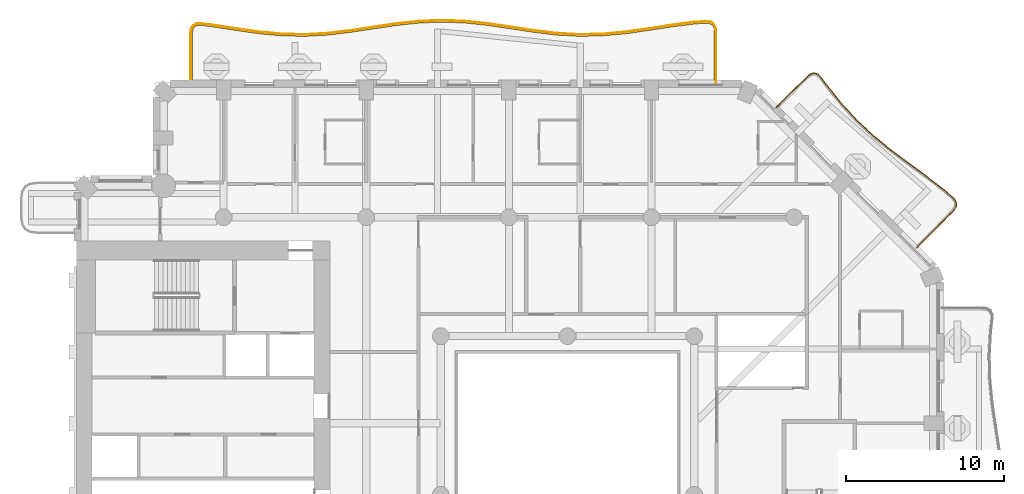
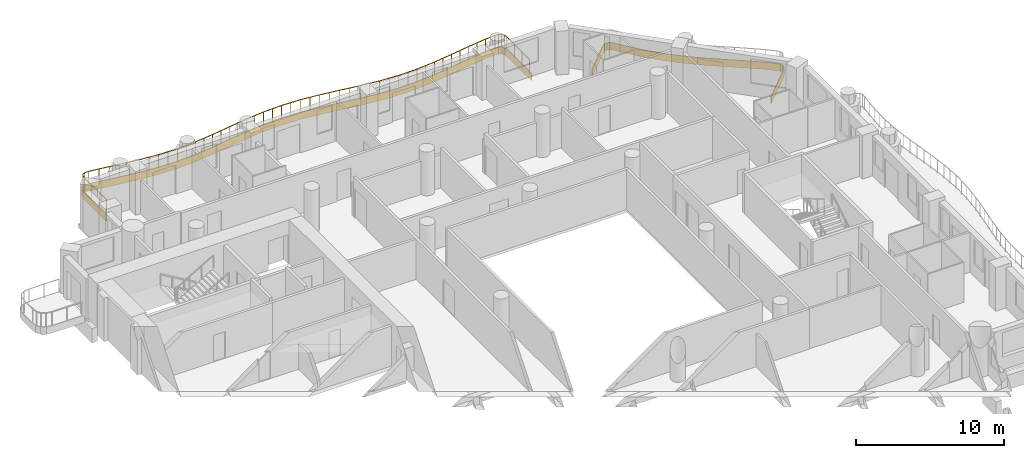
# One storey, part 17 of 19: 2 coverings, 1 railing.
"""IFC4 building model written with IfcOpenShell, lengths in metres."""

from ifc_helpers import new_model, si_unit, direction, frame, origin, origin_2d, place, context, subcontext, project, spatial, polyline, rectangle, outline, extrude, material, layer, layer_set, type_object, element, save


model = new_model("IFC4")

# Units and contexts
model_context = context("Model", 3, precision=1e-05, world=origin(), true_north=direction((0.0, 1.0)))
body_context = subcontext(model_context, "Body", "Model", "MODEL_VIEW")
ifc_project = project(units=[si_unit("LENGTHUNIT", "METRE"), si_unit("AREAUNIT", "SQUARE_METRE"), si_unit("VOLUMEUNIT", "CUBIC_METRE"), si_unit("PLANEANGLEUNIT", "RADIAN"), si_unit("MASSUNIT", "GRAM", prefix="KILO")], contexts=[model_context])

# Site, building, storey
site_placement = place(None, origin())
site = spatial("IfcSite", under=ifc_project, at=site_placement, CompositionType="ELEMENT")
building_placement = place(site_placement, origin())
building = spatial("IfcBuilding", under=site, at=building_placement, Name="Cypress Arch Tower", CompositionType="ELEMENT")
storey_placement = place(building_placement, frame((0.0, 0.0, 141.89990234375)))
storey = spatial("IfcBuildingStorey", under=building, at=storey_placement, Name="L31", CompositionType="ELEMENT", Elevation=141.89990234375)

# Coverings
ifc_material_1 = material(Name="White powder-coated aluminium fascia", Category="aluminium")
ifc_layer = layer(ifc_material_1, 0.050048828125)
ifc_layer_set = layer_set([ifc_layer], Name="Balcony fascia BF50")
covering_type = type_object("IfcCoveringType", Name="Balcony fascia BF50", PredefinedType="CLADDING", material=ifc_layer_set)
covering_1_placement = place(storey_placement, frame((0.0, 0.0, -0.599853515625)))
element("IfcCovering", 1, at=covering_1_placement, inside=storey, type_object=covering_type, Name="Balcony fascia L31-A07", PredefinedType="CLADDING", context=body_context, shape_type="SweptSolid", body=[
    extrude(outline(polyline([(16.12109375, 26.409912109375), (16.351318359375, 26.58203125), (16.5859375, 26.631591796875), (16.81103515625, 26.54833984375), (17.013671875, 26.3447265625), (17.47509765625, 25.724609375), (18.349609375, 24.643310546875), (19.287109375, 23.626220703125), (20.297607421875, 22.68212890625), (21.373779296875, 21.802734375), (22.493896484375, 20.965087890625), (23.62548828125, 20.13671875), (24.734130859375, 19.282958984375), (25.317138671875, 18.78125), (25.50634765625, 18.564453125), (25.57861328125, 18.331298828125), (25.52392578125, 18.09326171875), (25.3515625, 17.86279296875), (23.045166015625, 15.556396484375), (23.009765625, 15.591796875), (25.313720703125, 17.895751953125), (25.4775390625, 18.11474609375), (25.52685546875, 18.329345703125), (25.461669921875, 18.53955078125), (25.281982421875, 18.74560546875), (24.70263671875, 19.244140625), (23.595458984375, 20.0966796875), (22.464111328125, 20.9248046875), (21.343017578125, 21.76318359375), (20.2646484375, 22.64453125), (19.251708984375, 23.591064453125), (18.311767578125, 24.610595703125), (17.435546875, 25.694091796875), (16.975830078125, 26.31201171875), (16.783203125, 26.50537109375), (16.582275390625, 26.579833984375), (16.372314453125, 26.535400390625), (16.15380859375, 26.371826171875), (14.191650390625, 24.40966796875), (14.15625, 24.445068359375), (16.12109375, 26.409912109375)])), origin(), (0.0, 0.0, 1.0), 0.599853515625),
])
covering_2_placement = place(storey_placement, frame((0.0, 0.0, -0.599853515625)))
element("IfcCovering", 2, at=covering_2_placement, inside=storey, type_object=covering_type, Name="Balcony fascia L31-A08", PredefinedType="CLADDING", context=body_context, shape_type="SweptSolid", body=[
    extrude(outline(polyline([(-22.800048828125, 29.129638671875), (-22.757568359375, 29.42431640625), (-22.622314453125, 29.6337890625), (-22.397216796875, 29.740478515625), (-22.099365234375, 29.744384765625), (-21.3037109375, 29.64013671875), (-19.864501953125, 29.4169921875), (-18.4267578125, 29.21435546875), (-16.99072265625, 29.082275390625), (-15.55517578125, 29.05322265625), (-14.11962890625, 29.13427734375), (-12.682861328125, 29.3056640625), (-11.244384765625, 29.525146484375), (-9.80419921875, 29.73828125), (-8.3623046875, 29.892822265625), (-6.919677734375, 29.949951171875), (-5.476806640625, 29.895751953125), (-4.034912109375, 29.74365234375), (-2.5947265625, 29.53125), (-1.15625, 29.311279296875), (0.280517578125, 29.137939453125), (1.71630859375, 29.05419921875), (3.151611328125, 29.080078125), (4.587646484375, 29.209716796875), (6.025390625, 29.410888671875), (7.464599609375, 29.63427734375), (8.90576171875, 29.82470703125), (9.7021484375, 29.885498046875), (9.99951171875, 29.865478515625), (10.223388671875, 29.748046875), (10.357421875, 29.533935546875), (10.39990234375, 29.23876953125), (10.39990234375, 26.0009765625), (10.35009765625, 26.0009765625), (10.35009765625, 29.235107421875), (10.3095703125, 29.516357421875), (10.18798828125, 29.7099609375), (9.98583984375, 29.81640625), (9.702392578125, 29.835205078125), (8.910888671875, 29.77490234375), (7.4716796875, 29.584716796875), (6.03271484375, 29.361572265625), (4.593505859375, 29.159912109375), (3.154296875, 29.030029296875), (1.71533203125, 29.004150390625), (0.276123046875, 29.088134765625), (-1.1630859375, 29.26171875), (-2.602294921875, 29.481689453125), (-4.041259765625, 29.69384765625), (-5.48046875, 29.845947265625), (-6.919677734375, 29.89990234375), (-8.358642578125, 29.843017578125), (-9.7978515625, 29.688720703125), (-11.237060546875, 29.4755859375), (-12.676025390625, 29.256103515625), (-14.115234375, 29.08447265625), (-15.554443359375, 29.003173828125), (-16.993408203125, 29.032470703125), (-18.4326171875, 29.164794921875), (-19.871826171875, 29.367431640625), (-21.310791015625, 29.590576171875), (-22.102294921875, 29.6943359375), (-22.3857421875, 29.690673828125), (-22.588134765625, 29.5947265625), (-22.70947265625, 29.406494140625), (-22.75, 29.1259765625), (-22.75, 26.0009765625), (-22.800048828125, 26.0009765625), (-22.800048828125, 29.129638671875)])), origin(), (0.0, 0.0, 1.0), 0.599853515625),
])

# Railing
ifc_material_2 = material(Name="Powder-coated steel posts and rods, 100 mm clear between rods", Category="steel")
railing_type = type_object("IfcRailingType", Name="Balcony guard GR1100", PredefinedType="GUARDRAIL", material=ifc_material_2)
railing_placement = place(storey_placement, frame((-22.699951171875, 26.14990234375, 0.0)))
element("IfcRailing", 3, at=railing_placement, inside=storey, type_object=railing_type, Name="Balcony guard L31-A08", PredefinedType="GUARDRAIL", context=body_context, shape_type="SweptSolid", body=[
    extrude(rectangle(XDim=0.050048828125, YDim=0.050048828125, at=origin_2d()), frame((0.0, 0.0, 1.0751953125), z_axis=(0.0, 1.0, 0.0), x_axis=(-1.0, 0.0, 0.0)), (0.0, 0.0, 1.0), 2.972412109375),
    extrude(rectangle(XDim=0.050048828125, YDim=0.050048828125, at=origin_2d()), frame((0.0, 2.972412109375, 1.0751953125), z_axis=(0.14256541736, 0.989785381673, 0.0), x_axis=(-0.989785381673, 0.14256541736, 0.0)), (0.0, 0.0, 1.0), 0.268798828125),
    extrude(rectangle(XDim=0.050048828125, YDim=0.050048828125, at=origin_2d()), frame((0.038330078125, 3.238525390625, 1.0751953125), z_axis=(0.5421827487, 0.840260594704, 0.0), x_axis=(-0.840260594704, 0.5421827487, 0.0)), (0.0, 0.0, 1.0), 0.198974609375),
    extrude(rectangle(XDim=0.050048828125, YDim=0.050048828125, at=origin_2d()), frame((0.146240234375, 3.40576171875, 1.0751953125), z_axis=(0.903812941025, 0.427927759832, 0.0), x_axis=(-0.427927759832, 0.903812941025, 0.0)), (0.0, 0.0, 1.0), 0.198486328125),
    extrude(rectangle(XDim=0.050048828125, YDim=0.050048828125, at=origin_2d()), frame((0.32568359375, 3.49072265625, 1.0751953125), z_axis=(0.999907374836, 0.013610354467, 0.0), x_axis=(-0.013610354467, 0.999907374836, 0.0)), (0.0, 0.0, 1.0), 0.26904296875),
    extrude(rectangle(XDim=0.050048828125, YDim=0.050048828125, at=origin_2d()), frame((0.5947265625, 3.494384765625, 1.0751953125), z_axis=(0.991547179786, -0.129746638719, 0.0), x_axis=(0.129746638719, 0.991547179786, 0.0)), (0.0, 0.0, 1.0), 0.7939453125),
    extrude(rectangle(XDim=0.050048828125, YDim=0.050048828125, at=origin_2d()), frame((1.382080078125, 3.391357421875, 1.0751953125), z_axis=(0.988184852879, -0.153266749624, 0.0), x_axis=(0.153266749624, 0.988184852879, 0.0)), (0.0, 0.0, 1.0), 1.455810546875),
    extrude(rectangle(XDim=0.050048828125, YDim=0.050048828125, at=origin_2d()), frame((2.82080078125, 3.168212890625, 1.0751953125), z_axis=(0.990206257775, -0.139612202418, 0.0), x_axis=(0.139612202418, 0.990206257775, 0.0)), (0.0, 0.0, 1.0), 1.454833984375),
    extrude(rectangle(XDim=0.050048828125, YDim=0.050048828125, at=origin_2d()), frame((4.261474609375, 2.965087890625, 1.0751953125), z_axis=(0.995801502234, -0.091538888727, 0.0), x_axis=(0.091538888727, 0.995801502234, 0.0)), (0.0, 0.0, 1.0), 1.4482421875),
    extrude(rectangle(XDim=0.050048828125, YDim=0.050048828125, at=origin_2d()), frame((5.70361328125, 2.83251953125, 1.0751953125), z_axis=(0.999793925966, -0.020300384284, 0.0), x_axis=(0.020300384284, 0.999793925966, 0.0)), (0.0, 0.0, 1.0), 1.443115234375),
    extrude(rectangle(XDim=0.050048828125, YDim=0.050048828125, at=origin_2d()), frame((7.146484375, 2.80322265625, 1.0751953125), z_axis=(0.998406339477, 0.05643386654, 0.0), x_axis=(-0.05643386654, 0.998406339477, 0.0)), (0.0, 0.0, 1.0), 1.44482421875),
    extrude(rectangle(XDim=0.050048828125, YDim=0.050048828125, at=origin_2d()), frame((8.589111328125, 2.884765625, 1.0751953125), z_axis=(0.992965693526, 0.11840241332, 0.0), x_axis=(-0.11840241332, 0.992965693526, 0.0)), (0.0, 0.0, 1.0), 1.45166015625),
    extrude(rectangle(XDim=0.050048828125, YDim=0.050048828125, at=origin_2d()), frame((10.030517578125, 3.056640625, 1.0751953125), z_axis=(0.988556974832, 0.150847961572, 0.0), x_axis=(-0.150847961572, 0.988556974832, 0.0)), (0.0, 0.0, 1.0), 1.45654296875),
    extrude(rectangle(XDim=0.050048828125, YDim=0.050048828125, at=origin_2d()), frame((11.470458984375, 3.2763671875, 1.0751953125), z_axis=(0.989217885368, 0.146451272673, 0.0), x_axis=(-0.146451272673, 0.989217885368, 0.0)), (0.0, 0.0, 1.0), 1.45361328125),
    extrude(rectangle(XDim=0.050048828125, YDim=0.050048828125, at=origin_2d()), frame((12.908447265625, 3.4892578125, 1.0751953125), z_axis=(0.994316822862, 0.106461522502, 0.0), x_axis=(-0.106461522502, 0.994316822862, 0.0)), (0.0, 0.0, 1.0), 1.44482421875),
    extrude(rectangle(XDim=0.050048828125, YDim=0.050048828125, at=origin_2d()), frame((14.344970703125, 3.64306640625, 1.0751953125), z_axis=(0.999215819367, 0.039594776516, 0.0), x_axis=(-0.039594776516, 0.999215819367, 0.0)), (0.0, 0.0, 1.0), 1.436767578125),
    extrude(rectangle(XDim=0.050048828125, YDim=0.050048828125, at=origin_2d()), frame((15.780517578125, 3.699951171875, 1.0751953125), z_axis=(0.999294430056, -0.037558515143, 0.0), x_axis=(0.037558515143, 0.999294430056, 0.0)), (0.0, 0.0, 1.0), 1.4365234375),
    extrude(rectangle(XDim=0.050048828125, YDim=0.050048828125, at=origin_2d()), frame((17.216064453125, 3.64599609375, 1.0751953125), z_axis=(0.994474844006, -0.104975162014, 0.0), x_axis=(0.104975162014, 0.994474844006, 0.0)), (0.0, 0.0, 1.0), 1.4443359375),
    extrude(rectangle(XDim=0.050048828125, YDim=0.050048828125, at=origin_2d()), frame((18.65234375, 3.494384765625, 1.0751953125), z_axis=(0.989315000854, -0.145793789599, 0.0), x_axis=(0.145793789599, 0.989315000854, 0.0)), (0.0, 0.0, 1.0), 1.45361328125),
    extrude(rectangle(XDim=0.050048828125, YDim=0.050048828125, at=origin_2d()), frame((20.09033203125, 3.282470703125, 1.0751953125), z_axis=(0.988503103525, -0.151200576459, 0.0), x_axis=(0.151200576459, 0.988503103525, 0.0)), (0.0, 0.0, 1.0), 1.45654296875),
    extrude(rectangle(XDim=0.050048828125, YDim=0.050048828125, at=origin_2d()), frame((21.530029296875, 3.062255859375, 1.0751953125), z_axis=(0.992809055205, -0.119708729434, 0.0), x_axis=(0.119708729434, 0.992809055205, 0.0)), (0.0, 0.0, 1.0), 1.4521484375),
    extrude(rectangle(XDim=0.050048828125, YDim=0.050048828125, at=origin_2d()), frame((22.9716796875, 2.888427734375, 1.0751953125), z_axis=(0.998299337099, -0.058296085189, 0.0), x_axis=(0.058296085189, 0.998299337099, 0.0)), (0.0, 0.0, 1.0), 1.44482421875),
    extrude(rectangle(XDim=0.050048828125, YDim=0.050048828125, at=origin_2d()), frame((24.4140625, 2.80419921875, 1.0751953125), z_axis=(0.999836146453, 0.018101940384, 0.0), x_axis=(-0.018101940384, 0.999836146453, 0.0)), (0.0, 0.0, 1.0), 1.443115234375),
    extrude(rectangle(XDim=0.050048828125, YDim=0.050048828125, at=origin_2d()), frame((25.85693359375, 2.830322265625, 1.0751953125), z_axis=(0.995953790443, 0.08986683093, 0.0), x_axis=(-0.08986683093, 0.995953790443, 0.0)), (0.0, 0.0, 1.0), 1.447998046875),
    extrude(rectangle(XDim=0.050048828125, YDim=0.050048828125, at=origin_2d()), frame((27.299072265625, 2.96044921875, 1.0751953125), z_axis=(0.990344972575, 0.138624800432, 0.0), x_axis=(-0.138624800432, 0.990344972575, 0.0)), (0.0, 0.0, 1.0), 1.454833984375),
    extrude(rectangle(XDim=0.050048828125, YDim=0.050048828125, at=origin_2d()), frame((28.73974609375, 3.162109375, 1.0751953125), z_axis=(0.98816338909, 0.153405073128, 0.0), x_axis=(-0.153405073128, 0.98816338909, 0.0)), (0.0, 0.0, 1.0), 1.456298828125),
    extrude(rectangle(XDim=0.050048828125, YDim=0.050048828125, at=origin_2d()), frame((30.1787109375, 3.385498046875, 1.0751953125), z_axis=(0.991402055353, 0.130850925261, 0.0), x_axis=(-0.130850925261, 0.991402055353, 0.0)), (0.0, 0.0, 1.0), 1.44970703125),
    extrude(rectangle(XDim=0.050048828125, YDim=0.050048828125, at=origin_2d()), frame((31.615966796875, 3.5751953125, 1.0751953125), z_axis=(0.99709801299, 0.076128526131, 0.0), x_axis=(-0.076128526131, 0.99709801299, 0.0)), (0.0, 0.0, 1.0), 0.788818359375),
    extrude(rectangle(XDim=0.050048828125, YDim=0.050048828125, at=origin_2d()), frame((32.402587890625, 3.63525390625, 1.0751953125), z_axis=(0.997757051233, -0.066939276329, 0.0), x_axis=(0.066939276329, 0.997757051233, 0.0)), (0.0, 0.0, 1.0), 0.269775390625),
    extrude(rectangle(XDim=0.050048828125, YDim=0.050048828125, at=origin_2d()), frame((32.671875, 3.6171875, 1.0751953125), z_axis=(0.884918222382, -0.465746432833, 0.0), x_axis=(0.465746432833, 0.884918222382, 0.0)), (0.0, 0.0, 1.0), 0.204345703125),
    extrude(rectangle(XDim=0.050048828125, YDim=0.050048828125, at=origin_2d()), frame((32.852783203125, 3.52197265625, 1.0751953125), z_axis=(0.531071251699, -0.847327165632, 0.0), x_axis=(0.847327165632, 0.531071251699, 0.0)), (0.0, 0.0, 1.0), 0.20458984375),
    extrude(rectangle(XDim=0.050048828125, YDim=0.050048828125, at=origin_2d()), frame((32.96142578125, 3.3486328125, 1.0751953125), z_axis=(0.143069172256, -0.989712691618, 0.0), x_axis=(0.989712691618, 0.143069172256, 0.0)), (0.0, 0.0, 1.0), 0.26953125),
    extrude(rectangle(XDim=0.050048828125, YDim=0.050048828125, at=origin_2d()), frame((33.0, 3.081787109375, 1.0751953125), z_axis=(0.0, -1.0, 0.0), x_axis=(1.0, 0.0, 0.0)), (0.0, 0.0, 1.0), 3.081787109375),
    extrude(rectangle(XDim=0.0400390625, YDim=0.0400390625, at=origin_2d()), origin(), (0.0, 0.0, 1.0), 1.050048828125),
    extrude(rectangle(XDim=0.0400390625, YDim=0.0400390625, at=origin_2d()), frame((0.0, 0.99072265625, 0.0)), (0.0, 0.0, 1.0), 1.050048828125),
    extrude(rectangle(XDim=0.0400390625, YDim=0.0400390625, at=origin_2d()), frame((0.0, 1.981689453125, 0.0)), (0.0, 0.0, 1.0), 1.050048828125),
    extrude(rectangle(XDim=0.0400390625, YDim=0.0400390625, at=origin_2d()), frame((0.0, 2.972412109375, 0.0)), (0.0, 0.0, 1.0), 1.050048828125),
    extrude(rectangle(XDim=0.0400390625, YDim=0.0400390625, at=origin_2d()), frame((0.038330078125, 3.238525390625, 0.0)), (0.0, 0.0, 1.0), 1.050048828125),
    extrude(rectangle(XDim=0.0400390625, YDim=0.0400390625, at=origin_2d()), frame((0.146240234375, 3.40576171875, 0.0)), (0.0, 0.0, 1.0), 1.050048828125),
    extrude(rectangle(XDim=0.0400390625, YDim=0.0400390625, at=origin_2d()), frame((0.32568359375, 3.49072265625, 0.0)), (0.0, 0.0, 1.0), 1.050048828125),
    extrude(rectangle(XDim=0.0400390625, YDim=0.0400390625, at=origin_2d()), frame((0.5947265625, 3.494384765625, 0.0)), (0.0, 0.0, 1.0), 1.050048828125),
    extrude(rectangle(XDim=0.0400390625, YDim=0.0400390625, at=origin_2d()), frame((1.382080078125, 3.391357421875, 0.0)), (0.0, 0.0, 1.0), 1.050048828125),
    extrude(rectangle(XDim=0.0400390625, YDim=0.0400390625, at=origin_2d()), frame((2.1015625, 3.27978515625, 0.0)), (0.0, 0.0, 1.0), 1.050048828125),
    extrude(rectangle(XDim=0.0400390625, YDim=0.0400390625, at=origin_2d()), frame((2.82080078125, 3.168212890625, 0.0)), (0.0, 0.0, 1.0), 1.050048828125),
    extrude(rectangle(XDim=0.0400390625, YDim=0.0400390625, at=origin_2d()), frame((3.541015625, 3.066650390625, 0.0)), (0.0, 0.0, 1.0), 1.050048828125),
    extrude(rectangle(XDim=0.0400390625, YDim=0.0400390625, at=origin_2d()), frame((4.261474609375, 2.965087890625, 0.0)), (0.0, 0.0, 1.0), 1.050048828125),
    extrude(rectangle(XDim=0.0400390625, YDim=0.0400390625, at=origin_2d()), frame((4.982421875, 2.89892578125, 0.0)), (0.0, 0.0, 1.0), 1.050048828125),
    extrude(rectangle(XDim=0.0400390625, YDim=0.0400390625, at=origin_2d()), frame((5.70361328125, 2.83251953125, 0.0)), (0.0, 0.0, 1.0), 1.050048828125),
    extrude(rectangle(XDim=0.0400390625, YDim=0.0400390625, at=origin_2d()), frame((6.425048828125, 2.81787109375, 0.0)), (0.0, 0.0, 1.0), 1.050048828125),
    extrude(rectangle(XDim=0.0400390625, YDim=0.0400390625, at=origin_2d()), frame((7.146484375, 2.80322265625, 0.0)), (0.0, 0.0, 1.0), 1.050048828125),
    extrude(rectangle(XDim=0.0400390625, YDim=0.0400390625, at=origin_2d()), frame((7.86767578125, 2.843994140625, 0.0)), (0.0, 0.0, 1.0), 1.050048828125),
    extrude(rectangle(XDim=0.0400390625, YDim=0.0400390625, at=origin_2d()), frame((8.589111328125, 2.884765625, 0.0)), (0.0, 0.0, 1.0), 1.050048828125),
    extrude(rectangle(XDim=0.0400390625, YDim=0.0400390625, at=origin_2d()), frame((9.309814453125, 2.970703125, 0.0)), (0.0, 0.0, 1.0), 1.050048828125),
    extrude(rectangle(XDim=0.0400390625, YDim=0.0400390625, at=origin_2d()), frame((10.030517578125, 3.056640625, 0.0)), (0.0, 0.0, 1.0), 1.050048828125),
    extrude(rectangle(XDim=0.0400390625, YDim=0.0400390625, at=origin_2d()), frame((10.75048828125, 3.16650390625, 0.0)), (0.0, 0.0, 1.0), 1.050048828125),
    extrude(rectangle(XDim=0.0400390625, YDim=0.0400390625, at=origin_2d()), frame((11.470458984375, 3.2763671875, 0.0)), (0.0, 0.0, 1.0), 1.050048828125),
    extrude(rectangle(XDim=0.0400390625, YDim=0.0400390625, at=origin_2d()), frame((12.189453125, 3.3828125, 0.0)), (0.0, 0.0, 1.0), 1.050048828125),
    extrude(rectangle(XDim=0.0400390625, YDim=0.0400390625, at=origin_2d()), frame((12.908447265625, 3.4892578125, 0.0)), (0.0, 0.0, 1.0), 1.050048828125),
    extrude(rectangle(XDim=0.0400390625, YDim=0.0400390625, at=origin_2d()), frame((13.626708984375, 3.566162109375, 0.0)), (0.0, 0.0, 1.0), 1.050048828125),
    extrude(rectangle(XDim=0.0400390625, YDim=0.0400390625, at=origin_2d()), frame((14.344970703125, 3.64306640625, 0.0)), (0.0, 0.0, 1.0), 1.050048828125),
    extrude(rectangle(XDim=0.0400390625, YDim=0.0400390625, at=origin_2d()), frame((15.062744140625, 3.67138671875, 0.0)), (0.0, 0.0, 1.0), 1.050048828125),
    extrude(rectangle(XDim=0.0400390625, YDim=0.0400390625, at=origin_2d()), frame((15.780517578125, 3.699951171875, 0.0)), (0.0, 0.0, 1.0), 1.050048828125),
    extrude(rectangle(XDim=0.0400390625, YDim=0.0400390625, at=origin_2d()), frame((16.498291015625, 3.6728515625, 0.0)), (0.0, 0.0, 1.0), 1.050048828125),
    extrude(rectangle(XDim=0.0400390625, YDim=0.0400390625, at=origin_2d()), frame((17.216064453125, 3.64599609375, 0.0)), (0.0, 0.0, 1.0), 1.050048828125),
    extrude(rectangle(XDim=0.0400390625, YDim=0.0400390625, at=origin_2d()), frame((17.93408203125, 3.5703125, 0.0)), (0.0, 0.0, 1.0), 1.050048828125),
    extrude(rectangle(XDim=0.0400390625, YDim=0.0400390625, at=origin_2d()), frame((18.65234375, 3.494384765625, 0.0)), (0.0, 0.0, 1.0), 1.050048828125),
    extrude(rectangle(XDim=0.0400390625, YDim=0.0400390625, at=origin_2d()), frame((19.371337890625, 3.388427734375, 0.0)), (0.0, 0.0, 1.0), 1.050048828125),
    extrude(rectangle(XDim=0.0400390625, YDim=0.0400390625, at=origin_2d()), frame((20.09033203125, 3.282470703125, 0.0)), (0.0, 0.0, 1.0), 1.050048828125),
    extrude(rectangle(XDim=0.0400390625, YDim=0.0400390625, at=origin_2d()), frame((20.81005859375, 3.17236328125, 0.0)), (0.0, 0.0, 1.0), 1.050048828125),
    extrude(rectangle(XDim=0.0400390625, YDim=0.0400390625, at=origin_2d()), frame((21.530029296875, 3.062255859375, 0.0)), (0.0, 0.0, 1.0), 1.050048828125),
    extrude(rectangle(XDim=0.0400390625, YDim=0.0400390625, at=origin_2d()), frame((22.2509765625, 2.975341796875, 0.0)), (0.0, 0.0, 1.0), 1.050048828125),
    extrude(rectangle(XDim=0.0400390625, YDim=0.0400390625, at=origin_2d()), frame((22.9716796875, 2.888427734375, 0.0)), (0.0, 0.0, 1.0), 1.050048828125),
    extrude(rectangle(XDim=0.0400390625, YDim=0.0400390625, at=origin_2d()), frame((23.69287109375, 2.84619140625, 0.0)), (0.0, 0.0, 1.0), 1.050048828125),
    extrude(rectangle(XDim=0.0400390625, YDim=0.0400390625, at=origin_2d()), frame((24.4140625, 2.80419921875, 0.0)), (0.0, 0.0, 1.0), 1.050048828125),
    extrude(rectangle(XDim=0.0400390625, YDim=0.0400390625, at=origin_2d()), frame((25.135498046875, 2.8173828125, 0.0)), (0.0, 0.0, 1.0), 1.050048828125),
    extrude(rectangle(XDim=0.0400390625, YDim=0.0400390625, at=origin_2d()), frame((25.85693359375, 2.830322265625, 0.0)), (0.0, 0.0, 1.0), 1.050048828125),
    extrude(rectangle(XDim=0.0400390625, YDim=0.0400390625, at=origin_2d()), frame((26.578125, 2.8955078125, 0.0)), (0.0, 0.0, 1.0), 1.050048828125),
    extrude(rectangle(XDim=0.0400390625, YDim=0.0400390625, at=origin_2d()), frame((27.299072265625, 2.96044921875, 0.0)), (0.0, 0.0, 1.0), 1.050048828125),
    extrude(rectangle(XDim=0.0400390625, YDim=0.0400390625, at=origin_2d()), frame((28.01953125, 3.061279296875, 0.0)), (0.0, 0.0, 1.0), 1.050048828125),
    extrude(rectangle(XDim=0.0400390625, YDim=0.0400390625, at=origin_2d()), frame((28.73974609375, 3.162109375, 0.0)), (0.0, 0.0, 1.0), 1.050048828125),
    extrude(rectangle(XDim=0.0400390625, YDim=0.0400390625, at=origin_2d()), frame((29.459228515625, 3.27392578125, 0.0)), (0.0, 0.0, 1.0), 1.050048828125),
    extrude(rectangle(XDim=0.0400390625, YDim=0.0400390625, at=origin_2d()), frame((30.1787109375, 3.385498046875, 0.0)), (0.0, 0.0, 1.0), 1.050048828125),
    extrude(rectangle(XDim=0.0400390625, YDim=0.0400390625, at=origin_2d()), frame((30.8974609375, 3.48046875, 0.0)), (0.0, 0.0, 1.0), 1.050048828125),
    extrude(rectangle(XDim=0.0400390625, YDim=0.0400390625, at=origin_2d()), frame((31.615966796875, 3.5751953125, 0.0)), (0.0, 0.0, 1.0), 1.050048828125),
    extrude(rectangle(XDim=0.0400390625, YDim=0.0400390625, at=origin_2d()), frame((32.402587890625, 3.63525390625, 0.0)), (0.0, 0.0, 1.0), 1.050048828125),
    extrude(rectangle(XDim=0.0400390625, YDim=0.0400390625, at=origin_2d()), frame((32.671875, 3.6171875, 0.0)), (0.0, 0.0, 1.0), 1.050048828125),
    extrude(rectangle(XDim=0.0400390625, YDim=0.0400390625, at=origin_2d()), frame((32.852783203125, 3.52197265625, 0.0)), (0.0, 0.0, 1.0), 1.050048828125),
    extrude(rectangle(XDim=0.0400390625, YDim=0.0400390625, at=origin_2d()), frame((32.96142578125, 3.3486328125, 0.0)), (0.0, 0.0, 1.0), 1.050048828125),
    extrude(rectangle(XDim=0.0400390625, YDim=0.0400390625, at=origin_2d()), frame((33.0, 3.081787109375, 0.0)), (0.0, 0.0, 1.0), 1.050048828125),
    extrude(rectangle(XDim=0.0400390625, YDim=0.0400390625, at=origin_2d()), frame((33.0, 2.054443359375, 0.0)), (0.0, 0.0, 1.0), 1.050048828125),
    extrude(rectangle(XDim=0.0400390625, YDim=0.0400390625, at=origin_2d()), frame((33.0, 1.02734375, 0.0)), (0.0, 0.0, 1.0), 1.050048828125),
    extrude(rectangle(XDim=0.0400390625, YDim=0.0400390625, at=origin_2d()), frame((33.0, 0.0, 0.0)), (0.0, 0.0, 1.0), 1.050048828125),
])

save(model, "model.ifc")
